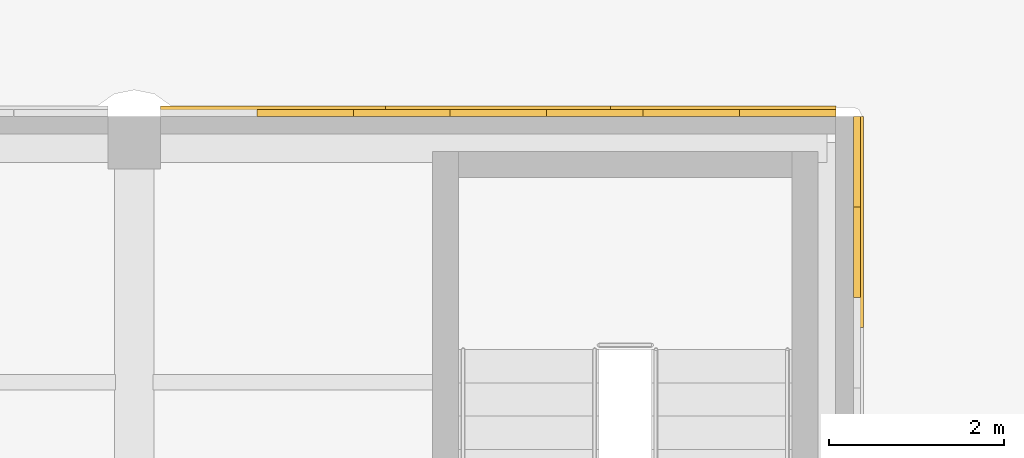
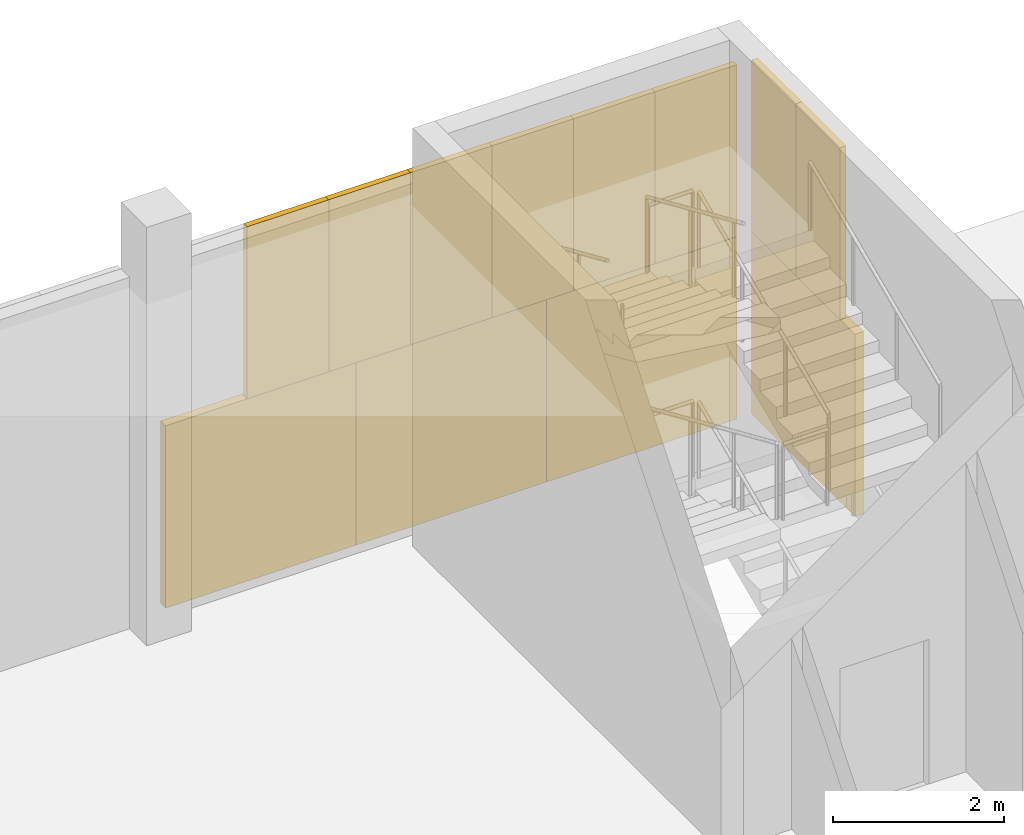
# One storey, part 153 of 155: 12 coverings.
"""IFC4 building model written with IfcOpenShell, lengths in metres."""

import ifcopenshell
import ifcopenshell.guid

model = None  # the IFC model being written
_history = None  # IfcOwnerHistory: only IFC2X3 demands one
_inside = {}  # id of a spatial element -> (the spatial element, [elements in it])
_under = {}  # id of a project, library or spatial element -> (it, [spatial elements below it])
_declared = {}  # id of a project -> (the project, [libraries it declares])
_typed = {}  # id of a type object -> (the type object, [elements of that type])
_made_of = {}  # id of a material, layer set ... -> (it, [elements and type objects made of it])


def new_model(schema):
    """Start an empty IFC model of exactly this schema.

    Asked for "IFC4X3", IfcOpenShell would pick the latest addendum, in which some entities
    have other attributes; the version numbers below select the first issue.
    IFC2X3 requires an IfcOwnerHistory on every rooted entity: one is made here for all.
    """
    global model, _history
    if schema == "IFC4X3":
        model = ifcopenshell.file(schema_version=(4, 3, 0, 0))
    else:
        model = ifcopenshell.file(schema=schema)
    _inside.clear()
    _under.clear()
    _declared.clear()
    _typed.clear()
    _made_of.clear()
    _history = None
    if model.schema == "IFC2X3":
        org = make("IfcOrganization", Name="unknown")
        user = make(
            "IfcPersonAndOrganization",
            ThePerson=make("IfcPerson", FamilyName="unknown"),
            TheOrganization=org,
        )
        app = make(
            "IfcApplication",
            ApplicationDeveloper=org,
            Version="unknown",
            ApplicationFullName="unknown",
            ApplicationIdentifier="unknown",
        )
        _history = make(
            "IfcOwnerHistory",
            OwningUser=user,
            OwningApplication=app,
            ChangeAction="ADDED",
            CreationDate=0,
        )
    return model


def make(cls, **values):
    """One entity of the class cls with the attributes given. An attribute that is None is left unset."""
    return model.create_entity(
        cls, **{name: value for name, value in values.items() if value is not None}
    )


def rooted(cls, **values):
    """An entity with a GlobalId (a new one), such as an element, a storey or a relation."""
    return make(cls, GlobalId=ifcopenshell.guid.new(), OwnerHistory=_history, **values)


def si_unit(unit_type, name, prefix=None):
    """IfcSIUnit, for example si_unit("LENGTHUNIT", "METRE", prefix="MILLI")."""
    return make("IfcSIUnit", UnitType=unit_type, Prefix=prefix, Name=name)


def assignment(units):
    """IfcUnitAssignment: the units of a project."""
    return None if units is None else make("IfcUnitAssignment", Units=units)


def point(xyz):
    """IfcCartesianPoint."""
    return None if xyz is None else make("IfcCartesianPoint", Coordinates=xyz)


def direction(xyz):
    """IfcDirection."""
    return None if xyz is None else make("IfcDirection", DirectionRatios=xyz)


def frame(location, z_axis=None, x_axis=None):
    """IfcAxis2Placement3D, a coordinate frame: its origin and axes. An axis left out is left unset."""
    return make(
        "IfcAxis2Placement3D",
        Location=point(location),
        Axis=direction(z_axis),
        RefDirection=direction(x_axis),
    )


def frame_2d(location, x_axis=None):
    """IfcAxis2Placement2D, a coordinate frame in the plane: its origin and x axis."""
    return make(
        "IfcAxis2Placement2D", Location=point(location), RefDirection=direction(x_axis)
    )


def origin():
    """The frame at (0, 0, 0) with its axes left unset."""
    return frame((0.0, 0.0, 0.0))


def origin_2d():
    """The frame at (0, 0) in the plane with its x axis left unset."""
    return frame_2d((0.0, 0.0))


def place(relative_to, where):
    """IfcLocalPlacement: puts the frame where relative to a parent placement (None: the world)."""
    return make(
        "IfcLocalPlacement", PlacementRelTo=relative_to, RelativePlacement=where
    )


def context(
    kind, dimensions, precision=None, world=None, true_north=None, identifier=None
):
    """IfcGeometricRepresentationContext, for example the 3D "Model" context."""
    return make(
        "IfcGeometricRepresentationContext",
        ContextIdentifier=identifier,
        ContextType=kind,
        CoordinateSpaceDimension=dimensions,
        Precision=precision,
        WorldCoordinateSystem=world,
        TrueNorth=true_north,
    )


def subcontext(parent, identifier, kind, view, scale=None):
    """IfcGeometricRepresentationSubContext, for example "Body" below "Model"."""
    return make(
        "IfcGeometricRepresentationSubContext",
        ContextIdentifier=identifier,
        ContextType=kind,
        ParentContext=parent,
        TargetScale=scale,
        TargetView=view,
    )


def project(units=None, contexts=None):
    """IfcProject with its units and contexts."""
    return rooted(
        "IfcProject",
        Name="project",
        RepresentationContexts=contexts,
        UnitsInContext=assignment(units),
    )


def spatial(cls, under=None, at=None, **own):
    """A site, building, storey or space (cls), placed at a placement, below another one or the project."""
    s = rooted(cls, ObjectPlacement=at, **own)
    if under is not None:
        _under.setdefault(under.id(), (under, []))[1].append(s)
    return s


def profile(cls, at=None, kind="AREA", **sizes):
    """A parametric profile (cls). Its sizes go by their IFC names, for example OverallWidth=200.0."""
    return make(cls, ProfileType=kind, Position=at, **sizes)


def rectangle(**sizes):
    """IfcRectangleProfileDef."""
    return profile("IfcRectangleProfileDef", **sizes)


def extrude(swept, where, along, depth):
    """IfcExtrudedAreaSolid: the profile swept, set in the frame where, extruded along a direction by depth."""
    return make(
        "IfcExtrudedAreaSolid",
        SweptArea=swept,
        Position=where,
        ExtrudedDirection=direction(along),
        Depth=depth,
    )


def shape(context_of_items, identifier, shape_type, items):
    """IfcShapeRepresentation: the items that make up one representation, for example the "Body"."""
    return make(
        "IfcShapeRepresentation",
        ContextOfItems=context_of_items,
        RepresentationIdentifier=identifier,
        RepresentationType=shape_type,
        Items=items,
    )


def material(Name=None, Category=None):
    """IfcMaterial."""
    return make("IfcMaterial", Name=Name, Category=Category)


def layer(
    of_material, thickness, ventilated=None, Name=None, Category=None, Priority=None
):
    """IfcMaterialLayer: one layer of a wall or slab, of a material (None: an air gap)."""
    return make(
        "IfcMaterialLayer",
        Material=of_material,
        LayerThickness=thickness,
        IsVentilated=ventilated,
        Name=Name,
        Category=Category,
        Priority=Priority,
    )


def layer_set(layers, Name=None):
    """IfcMaterialLayerSet."""
    return make("IfcMaterialLayerSet", MaterialLayers=layers, LayerSetName=Name)


def made_of(thing, what):
    """Note that an element or type object is made of a material, layer set ...; save() writes the relation."""
    if what is not None:
        _made_of.setdefault(what.id(), (what, []))[1].append(thing)
    return thing


def type_object(cls, material=None, **own):
    """A type object (cls), such as IfcWallType, which elements share."""
    return made_of(rooted(cls, **own), material)


def element(
    cls,
    number,
    at=None,
    inside=None,
    cuts=None,
    type_object=None,
    material=None,
    context=None,
    identifier="Body",
    shape_type=None,
    held_by="IfcProductDefinitionShape",
    body=None,
    shapes=None,
    **own,
):
    """One element of the class cls, such as IfcWall. Its Tag is "e" and its number.

    at: its placement. inside: the storey or other place that contains it. cuts: it is an
    opening in that element (IfcRelVoidsElement). A single representation is given by context,
    identifier, shape_type and body (its items); several are given by shapes. held_by: the class
    of the entity that holds the representations. save() writes the other relations.
    """
    e = rooted(cls, Tag="e%d" % number, ObjectPlacement=at, **own)
    if body is not None:
        shapes = [shape(context, identifier, shape_type, body)]
    if shapes is not None:
        e.Representation = make(held_by, Representations=shapes)
    if inside is not None:
        _inside.setdefault(inside.id(), (inside, []))[1].append(e)
    if cuts is not None:
        rooted(
            "IfcRelVoidsElement", RelatingBuildingElement=cuts, RelatedOpeningElement=e
        )
    if type_object is not None:
        _typed.setdefault(type_object.id(), (type_object, []))[1].append(e)
    return made_of(e, material)


def aggregate(whole, parts):
    """IfcRelAggregates: a whole, such as a stair, and the parts it consists of."""
    return rooted("IfcRelAggregates", RelatingObject=whole, RelatedObjects=parts)


def save(model, path):
    """Write the relations noted so far, then the file.

    IfcRelAggregates (storeys below a building ...), IfcRelContainedInSpatialStructure (elements
    in a storey), IfcRelDefinesByType, IfcRelAssociatesMaterial and IfcRelDeclares: one each for
    every whole, place, type object, material and project.
    """
    for whole, parts in _under.values():
        aggregate(whole, parts)
    for where, things in _inside.values():
        rooted(
            "IfcRelContainedInSpatialStructure",
            RelatedElements=things,
            RelatingStructure=where,
        )
    for kind, things in _typed.values():
        rooted("IfcRelDefinesByType", RelatedObjects=things, RelatingType=kind)
    for what, things in _made_of.values():
        rooted("IfcRelAssociatesMaterial", RelatedObjects=things, RelatingMaterial=what)
    for by, libraries in _declared.values():
        rooted("IfcRelDeclares", RelatingContext=by, RelatedDefinitions=libraries)
    model.write(path)


model = new_model("IFC4")

# Units and contexts
model_context = context("Model", 3, precision=1e-05, world=origin(), true_north=direction((0.0, 1.0)))
body_context = subcontext(model_context, "Body", "Model", "MODEL_VIEW")
ifc_project = project(units=[si_unit("LENGTHUNIT", "METRE"), si_unit("AREAUNIT", "SQUARE_METRE"), si_unit("VOLUMEUNIT", "CUBIC_METRE"), si_unit("PLANEANGLEUNIT", "RADIAN"), si_unit("MASSUNIT", "GRAM", prefix="KILO")], contexts=[model_context])

# Site, building, storey
site_placement = place(None, origin())
site = spatial("IfcSite", under=ifc_project, at=site_placement, CompositionType="ELEMENT")
building_placement = place(site_placement, origin())
building = spatial("IfcBuilding", under=site, at=building_placement, Name="Lunette Opera House", CompositionType="ELEMENT")
storey_placement = place(building_placement, origin())
storey = spatial("IfcBuildingStorey", under=building, at=storey_placement, Name="L00", CompositionType="ELEMENT", Elevation=0.0)

# Coverings
ifc_material_1 = material(Name="Clinker brick", Category="masonry")
ifc_layer_1 = layer(ifc_material_1, 0.114990234375)
ifc_layer_set_1 = layer_set([ifc_layer_1], Name="Clinker brick")
covering_type_1 = type_object("IfcCoveringType", Name="CLINKER CLADDING 115", PredefinedType="CLADDING", material=ifc_layer_set_1)
for number, where, z_axis, x_axis, name in (
    (1, (182.51708984375, 136.05810546875, 0.0), (0.0, 0.0, 1.0), (-1.0, 0.0, 0.0), "Clinker Cladding 115 WB L00"),
    (2, (179.949951171875, 136.05810546875, 0.0), (0.0, 0.0, 1.0), (-1.0, 0.0, 0.0), "Clinker Cladding 115 WB L00"),
    (3, (177.383056640625, 136.05810546875, 0.0), (0.0, 0.0, 1.0), (-1.0, 0.0, 0.0), "Clinker Cladding 115 WB L00"),
):
    element("IfcCovering", number, at=place(storey_placement, frame(where, z_axis=z_axis, x_axis=x_axis)), inside=storey, type_object=covering_type_1, Name=name, PredefinedType="CLADDING", context=body_context, shape_type="SweptSolid", body=[
        extrude(rectangle(XDim=2.56689453125, YDim=0.114990234375, at=origin_2d()), origin(), (0.0, 0.0, 1.0), 2.60009765625),
    ])
covering_placement = place(storey_placement, frame((184.05810546875, 134.7958984375, 0.0), z_axis=(0.0, 0.0, 1.0), x_axis=(0.0, 1.0, 0.0)))
element("IfcCovering", 4, at=covering_placement, inside=storey, type_object=covering_type_1, Name="Clinker Cladding 115 WB L00", PredefinedType="CLADDING", context=body_context, shape_type="SweptSolid", body=[
    extrude(rectangle(XDim=2.407958984375, YDim=0.114990234375, at=origin_2d()), origin(), (0.0, 0.0, 1.0), 2.60009765625),
])
ifc_material_2 = material(Name="Dark grey aluminium cassette", Category="aluminium")
ifc_layer_2 = layer(ifc_material_2, 0.080078125)
ifc_layer_set_2 = layer_set([ifc_layer_2], Name="Dark grey aluminium cassette")
covering_type_2 = type_object("IfcCoveringType", Name="DARK METAL CASSETTE 80", PredefinedType="CLADDING", material=ifc_layer_set_2)
for number, where, z_axis, x_axis, name in (
    (5, (183.25, 136.0400390625, 2.60009765625), (0.0, 0.0, 1.0), (-1.0, 0.0, 0.0), "Dark Metal Cassette 80 WK L00"),
    (6, (182.14990234375, 136.0400390625, 2.60009765625), (0.0, 0.0, 1.0), (-1.0, 0.0, 0.0), "Dark Metal Cassette 80 WK L00"),
    (7, (181.050048828125, 136.0400390625, 2.60009765625), (0.0, 0.0, 1.0), (-1.0, 0.0, 0.0), "Dark Metal Cassette 80 WK L00"),
    (8, (179.949951171875, 136.0400390625, 2.60009765625), (0.0, 0.0, 1.0), (-1.0, 0.0, 0.0), "Dark Metal Cassette 80 WK L00"),
    (9, (178.85009765625, 136.0400390625, 2.60009765625), (0.0, 0.0, 1.0), (-1.0, 0.0, 0.0), "Dark Metal Cassette 80 WK L00"),
    (10, (177.75, 136.0400390625, 2.60009765625), (0.0, 0.0, 1.0), (-1.0, 0.0, 0.0), "Dark Metal Cassette 80 WK L00"),
):
    element("IfcCovering", number, at=place(storey_placement, frame(where, z_axis=z_axis, x_axis=x_axis)), inside=storey, type_object=covering_type_2, Name=name, PredefinedType="CLADDING", context=body_context, shape_type="SweptSolid", body=[
        extrude(rectangle(XDim=1.10009765625, YDim=0.080078125, at=origin_2d()), origin(), (0.0, 0.0, 1.0), 2.449951171875),
    ])
for number, where, z_axis, x_axis, name in (
    (11, (184.0400390625, 134.451904296875, 2.60009765625), (0.0, 0.0, 1.0), (0.0, 1.0, 0.0), "Dark Metal Cassette 80 WK L00"),
    (12, (184.0400390625, 135.48388671875, 2.60009765625), (0.0, 0.0, 1.0), (0.0, 1.0, 0.0), "Dark Metal Cassette 80 WK L00"),
):
    element("IfcCovering", number, at=place(storey_placement, frame(where, z_axis=z_axis, x_axis=x_axis)), inside=storey, type_object=covering_type_2, Name=name, PredefinedType="CLADDING", context=body_context, shape_type="SweptSolid", body=[
        extrude(rectangle(XDim=1.031982421875, YDim=0.080078125, at=origin_2d()), origin(), (0.0, 0.0, 1.0), 2.449951171875),
    ])

save(model, "model.ifc")
